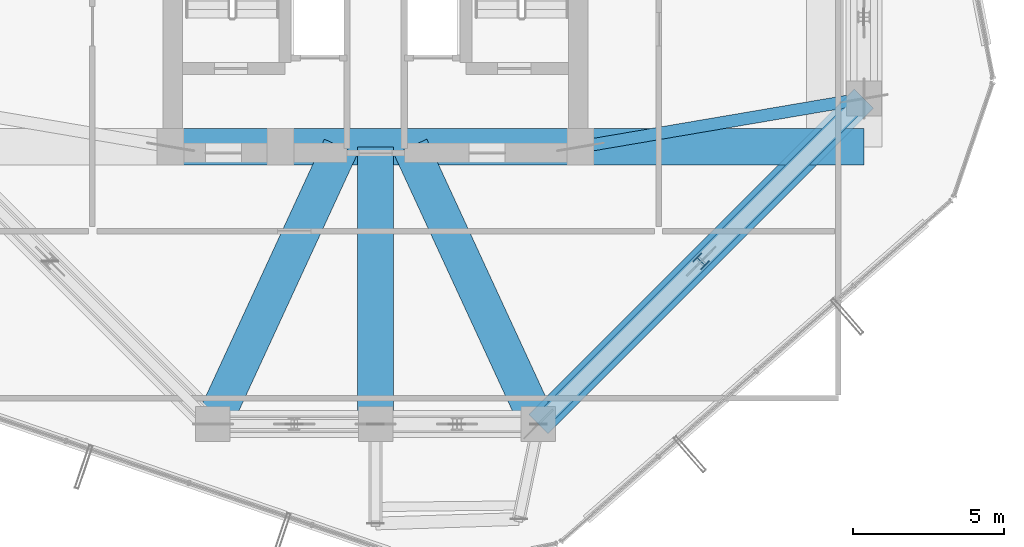
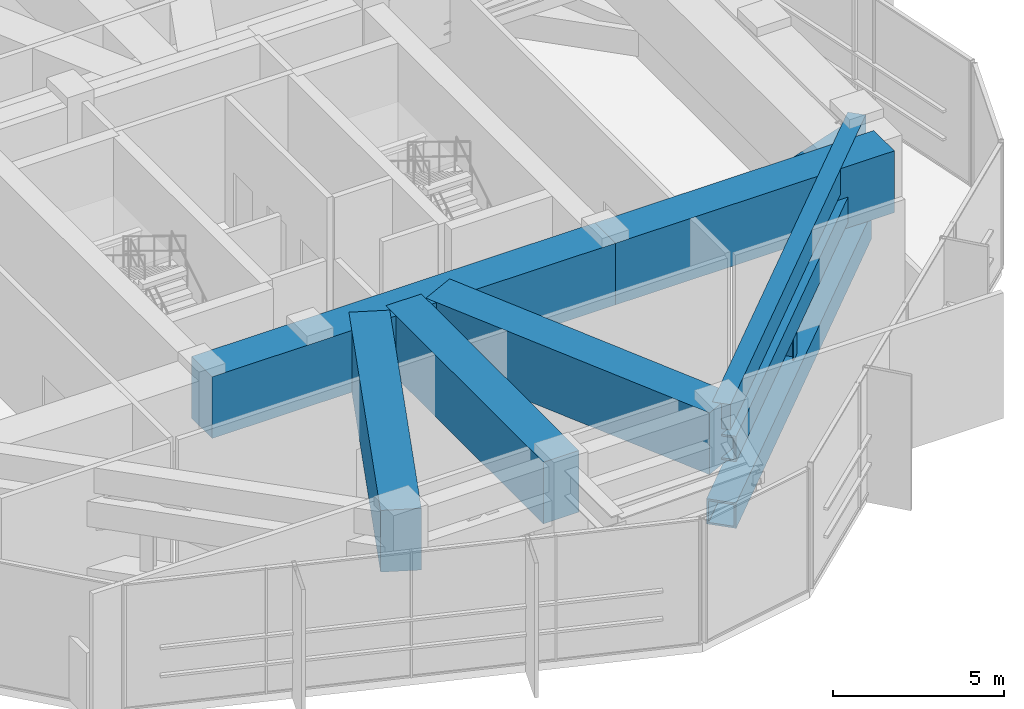
# One storey, part 9 of 36: 6 beams, 4 members.
"""IFC4 building model written with IfcOpenShell, lengths in metres."""

from ifc_helpers import new_model, si_unit, direction, frame, origin, origin_2d, place, context, subcontext, project, spatial, rectangle, hollow_rectangle, i_section, extrude, material, material_profile, profile_set, type_object, element, save


model = new_model("IFC4")

# Units and contexts
model_context = context("Model", 3, precision=1e-05, world=origin(), true_north=direction((0.0, 1.0)))
body_context = subcontext(model_context, "Body", "Model", "MODEL_VIEW")
ifc_project = project(units=[si_unit("LENGTHUNIT", "METRE"), si_unit("AREAUNIT", "SQUARE_METRE"), si_unit("VOLUMEUNIT", "CUBIC_METRE"), si_unit("PLANEANGLEUNIT", "RADIAN"), si_unit("MASSUNIT", "GRAM", prefix="KILO")], contexts=[model_context])

# Site, building, storey
site_placement = place(None, origin())
site = spatial("IfcSite", under=ifc_project, at=site_placement, CompositionType="ELEMENT")
building_placement = place(site_placement, origin())
building = spatial("IfcBuilding", under=site, at=building_placement, Name="Veraguas Prism Commons", CompositionType="ELEMENT")
storey_placement = place(building_placement, frame((0.0, 0.0, 169.550048828125)))
storey = spatial("IfcBuildingStorey", under=building, at=storey_placement, Name="L48", CompositionType="ELEMENT", Elevation=169.550048828125)

# Members
ifc_material_1 = material(Name="Steel ASTM A913 Grade 65", Category="steel")
ifc_material_profile_1 = material_profile(ifc_material_1, hollow_rectangle(XDim=0.89990234375, YDim=0.89990234375, WallThickness=0.06494140625, at=origin_2d()), Name="BOX900X900X65")
ifc_profile_set_1 = profile_set([ifc_material_profile_1], Name="Steel ASTM A913 Grade 65")
member_type_1 = type_object("IfcMemberType", Name="Belt Truss Chord L48 Box 900x900x65", PredefinedType="CHORD", material=ifc_profile_set_1)
for number, where, z_axis, x_axis, name in (
    (1, (29.39990234375, 7.800048828125, 0.550048828125), (0.707106781187, 0.707106781187, 0.0), (-0.707106781187, 0.707106781187, 0.0), "Perimeter Belt Truss Chord Bottom L48-12"),
    (2, (29.39990234375, 7.800048828125, 2.929931640625), (0.707106781187, 0.707106781187, 0.0), (-0.707106781187, 0.707106781187, 0.0), "Perimeter Belt Truss Chord Top L48-12"),
):
    element("IfcMember", number, at=place(storey_placement, frame(where, z_axis=z_axis, x_axis=x_axis)), inside=storey, type_object=member_type_1, Name=name, PredefinedType="CHORD", context=body_context, shape_type="SweptSolid", body=[
        extrude(hollow_rectangle(XDim=0.89990234375, YDim=0.89990234375, WallThickness=0.06494140625, at=origin_2d()), origin(), (0.0, 0.0, 1.0), 15.273681640625),
    ])
ifc_material_2 = material(Name="Steel ASTM A992 Grade 50", Category="steel")
ifc_material_profile_2 = material_profile(ifc_material_2, i_section(OverallWidth=0.39794921875, OverallDepth=0.386962890625, WebThickness=0.01904296875, FlangeThickness=0.0302734375, at=origin_2d()), Name="W360X262")
ifc_profile_set_2 = profile_set([ifc_material_profile_2], Name="Steel ASTM A992 Grade 50")
member_type_2 = type_object("IfcMemberType", Name="Belt Truss Vertical Strut W360x262", PredefinedType="STRUT", material=ifc_profile_set_2)
member_1_placement = place(storey_placement, frame((34.800048828125, 13.199951171875, 0.550048828125), z_axis=(0.0, 0.0, 1.0), x_axis=(0.707106781187, 0.707106781187, 0.0)))
element("IfcMember", 3, at=member_1_placement, inside=storey, type_object=member_type_2, Name="Perimeter Belt Truss Strut L48-12", PredefinedType="STRUT", context=body_context, shape_type="SweptSolid", body=[
    extrude(i_section(OverallWidth=0.39794921875, OverallDepth=0.386962890625, WebThickness=0.01904296875, FlangeThickness=0.0302734375, at=origin_2d()), origin(), (0.0, 0.0, 1.0), 2.3798828125),
])
ifc_material_profile_3 = material_profile(ifc_material_2, i_section(OverallWidth=0.408935546875, OverallDepth=0.425048828125, WebThickness=0.030517578125, FlangeThickness=0.049072265625, at=origin_2d()), Name="W360X421")
ifc_profile_set_3 = profile_set([ifc_material_profile_3], Name="Steel ASTM A992 Grade 50")
member_type_3 = type_object("IfcMemberType", Name="Outrigger Truss Diagonal W360x421", PredefinedType="BRACE", material=ifc_profile_set_3)
member_2_placement = place(storey_placement, frame((30.800048828125, 17.0, 2.419921875), z_axis=(0.973207252857, 0.165664130051, 0.159446037895), x_axis=(-0.1678109956, 0.985819187151, 0.0)))
element("IfcMember", 4, at=member_2_placement, inside=storey, type_object=member_type_3, Name="Outrigger Truss Diagonal L48-01", PredefinedType="BRACE", context=body_context, shape_type="SweptSolid", body=[
    extrude(i_section(OverallWidth=0.408935546875, OverallDepth=0.425048828125, WebThickness=0.030517578125, FlangeThickness=0.049072265625, at=origin_2d()), origin(), (0.0, 0.0, 1.0), 9.65869140625),
])

# Beams
ifc_material_3 = material(Name="Concrete C50/60", Category="concrete")
ifc_material_profile_4 = material_profile(ifc_material_3, rectangle(XDim=0.550048828125, YDim=0.89990234375, at=origin_2d()), Name="RC550X900")
ifc_profile_set_4 = profile_set([ifc_material_profile_4], Name="Concrete C50/60")
beam_type_1 = type_object("IfcBeamType", Name="Perimeter Spandrel Lower RC 550x900", PredefinedType="SPANDREL", material=ifc_profile_set_4)
beam_1_placement = place(storey_placement, frame((29.39990234375, 7.800048828125, 4.030029296875), z_axis=(0.707106781187, 0.707106781187, 0.0), x_axis=(-0.707106781187, 0.707106781187, 0.0)))
element("IfcBeam", 5, at=beam_1_placement, inside=storey, type_object=beam_type_1, Name="Perimeter Spandrel Beam L48-SP12", PredefinedType="SPANDREL", context=body_context, shape_type="SweptSolid", body=[
    extrude(rectangle(XDim=0.550048828125, YDim=0.89990234375, at=origin_2d()), origin(), (0.0, 0.0, 1.0), 15.273681640625),
])
ifc_material_profile_5 = material_profile(ifc_material_3, rectangle(XDim=1.199951171875, YDim=2.199951171875, at=origin_2d()), Name="RC1200X2200")
ifc_profile_set_5 = profile_set([ifc_material_profile_5], Name="Concrete C50/60")
beam_type_2 = type_object("IfcBeamType", Name="Podium Transfer Girder RC 1200x2200", PredefinedType="BEAM", material=ifc_profile_set_5)
beam_2_placement = place(storey_placement, frame((17.199951171875, 17.0, 3.3798828125), z_axis=(1.0, 0.0, 0.0), x_axis=(0.0, 1.0, 0.0)))
element("IfcBeam", 6, at=beam_2_placement, inside=storey, type_object=beam_type_2, Name="Core South Transfer Girder L48", PredefinedType="BEAM", context=body_context, shape_type="SweptSolid", body=[
    extrude(rectangle(XDim=1.199951171875, YDim=2.199951171875, at=origin_2d()), origin(), (0.0, 0.0, 1.0), 13.60009765625),
])
beam_3_placement = place(storey_placement, frame((40.199951171875, 17.0, 3.3798828125), z_axis=(-1.0, 0.0, 0.0), x_axis=(0.0, -1.0, 0.0)))
element("IfcBeam", 7, at=beam_3_placement, inside=storey, type_object=beam_type_2, Name="Outrigger Transfer Girder L48-XSE", PredefinedType="BEAM", context=body_context, shape_type="SweptSolid", body=[
    extrude(rectangle(XDim=1.199951171875, YDim=2.199951171875, at=origin_2d()), origin(), (0.0, 0.0, 1.0), 9.39990234375),
])
beam_4_placement = place(storey_placement, frame((18.60009765625, 7.800048828125, 3.3798828125), z_axis=(0.419055121545, 0.907960794917, 0.0), x_axis=(-0.907960794917, 0.419055121545, 0.0)))
element("IfcBeam", 8, at=beam_4_placement, inside=storey, type_object=beam_type_2, Name="Setback Transfer Girder L48-10", PredefinedType="BEAM", context=body_context, shape_type="SweptSolid", body=[
    extrude(rectangle(XDim=1.199951171875, YDim=2.199951171875, at=origin_2d()), origin(), (0.0, 0.0, 1.0), 10.132568359375),
])
beam_5_placement = place(storey_placement, frame((24.0, 7.800048828125, 3.3798828125), z_axis=(0.0, 1.0, 0.0), x_axis=(-1.0, 0.0, 0.0)))
element("IfcBeam", 9, at=beam_5_placement, inside=storey, type_object=beam_type_2, Name="Setback Transfer Girder L48-11", PredefinedType="BEAM", context=body_context, shape_type="SweptSolid", body=[
    extrude(rectangle(XDim=1.199951171875, YDim=2.199951171875, at=origin_2d()), origin(), (0.0, 0.0, 1.0), 9.199951171875),
])
beam_6_placement = place(storey_placement, frame((29.39990234375, 7.800048828125, 3.3798828125), z_axis=(-0.419055121545, 0.907960794917, 0.0), x_axis=(-0.907960794917, -0.419055121545, 0.0)))
element("IfcBeam", 10, at=beam_6_placement, inside=storey, type_object=beam_type_2, Name="Setback Transfer Girder L48-12", PredefinedType="BEAM", context=body_context, shape_type="SweptSolid", body=[
    extrude(rectangle(XDim=1.199951171875, YDim=2.199951171875, at=origin_2d()), origin(), (0.0, 0.0, 1.0), 10.132568359375),
])

save(model, "model.ifc")
